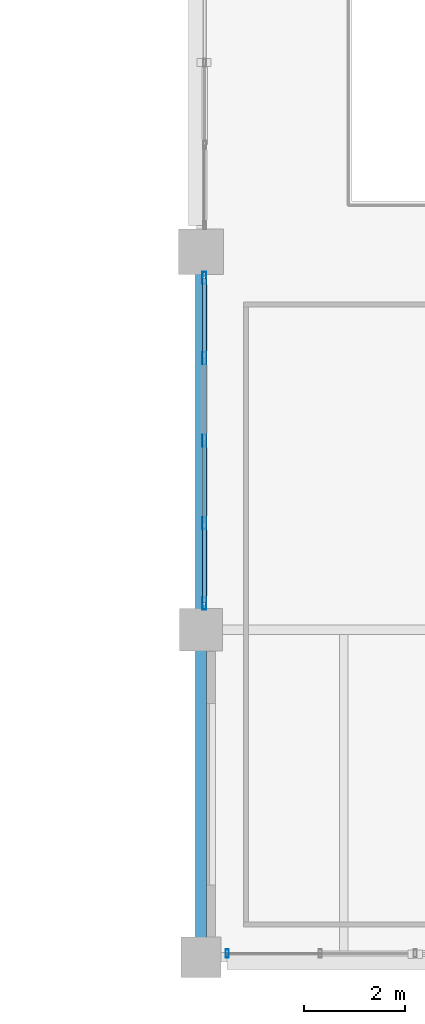
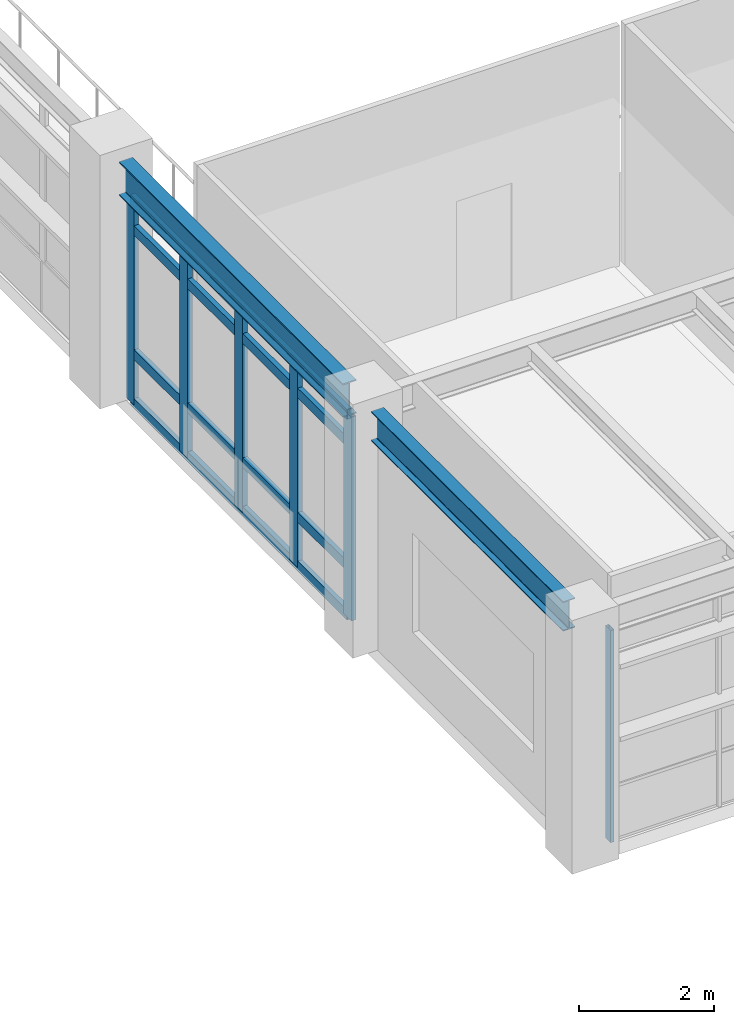
# One storey, part 93 of 168: 10 members, 2 beams, 2 elements without a shape of their own.
"""IFC4 building model written with IfcOpenShell, lengths in metres."""

from ifc_helpers import new_model, si_unit, direction, frame, origin, origin_2d, place, context, subcontext, project, spatial, hollow_rectangle, i_section, extrude, material, material_profile, profile_set, type_object, element, aggregate, save


model = new_model("IFC4")

# Units and contexts
model_context = context("Model", 3, precision=1e-05, world=origin(), true_north=direction((0.0, 1.0)))
body_context = subcontext(model_context, "Body", "Model", "MODEL_VIEW")
ifc_project = project(units=[si_unit("LENGTHUNIT", "METRE"), si_unit("AREAUNIT", "SQUARE_METRE"), si_unit("VOLUMEUNIT", "CUBIC_METRE"), si_unit("PLANEANGLEUNIT", "RADIAN"), si_unit("MASSUNIT", "GRAM", prefix="KILO"), si_unit("THERMODYNAMICTEMPERATUREUNIT", "KELVIN"), si_unit("POWERUNIT", "WATT")], contexts=[model_context])

# Site, building, storey
site_placement = place(None, origin())
site = spatial("IfcSite", under=ifc_project, at=site_placement, CompositionType="ELEMENT")
building_placement = place(site_placement, origin())
building = spatial("IfcBuilding", under=site, at=building_placement, Name="Tepalcoro Natatorium and Aquatics Centre", CompositionType="ELEMENT")
storey_placement = place(building_placement, frame((0.0, 0.0, 10.199951171875)))
storey = spatial("IfcBuildingStorey", under=building, at=storey_placement, Name="L02", CompositionType="ELEMENT", Elevation=10.199951171875)

# Curtain wall, member
ifc_material_1 = material(Name="Bronze-Anodised Extruded Aluminium Alloy EN AW-6063 T6", Category="aluminium")
curtain_wall_type_1 = type_object("IfcCurtainWallType", Name="CW_V2_DIVING", PredefinedType="USERDEFINED", material=ifc_material_1)
curtain_wall_1_placement = place(storey_placement, origin())
curtain_wall_1 = element("IfcCurtainWall", 1, at=curtain_wall_1_placement, inside=storey, type_object=curtain_wall_type_1, Name="V2 L02 S Unitised Curtain Wall Bay 1", ObjectType="FACETED SOLAR GLAZING", PredefinedType="USERDEFINED")
ifc_material_profile_1 = material_profile(ifc_material_1, hollow_rectangle(XDim=0.06005859375, YDim=0.159912109375, WallThickness=0.00390625, at=origin_2d()), Name="AL60X160X4")
ifc_profile_set_1 = profile_set([ifc_material_profile_1], Name="Bronze-Anodised Extruded Aluminium Alloy EN AW-6063 T6")
member_type_1 = type_object("IfcMemberType", Name="CW_MUL_60x160", PredefinedType="MULLION", material=ifc_profile_set_1)
member_1_placement = place(storey_placement, frame((142.52001953125, 6.576171875, 0.02001953125), z_axis=(0.0, 0.0, 1.0), x_axis=(1.0, 0.0, 0.0)))
member_1 = element("IfcMember", 2, at=member_1_placement, type_object=member_type_1, Name="CW_V2_DIVING Curtain Wall Mullion", PredefinedType="MULLION", context=body_context, shape_type="SweptSolid", body=[
    extrude(hollow_rectangle(XDim=0.06005859375, YDim=0.159912109375, WallThickness=0.00390625, at=origin_2d()), origin(), (0.0, 0.0, 1.0), 3.85009765625),
])
aggregate(curtain_wall_1, [member_1])

# Curtain wall, members
curtain_wall_type_2 = type_object("IfcCurtainWallType", Name="CW_LEAN_T1_NS", PredefinedType="USERDEFINED", material=ifc_material_1)
curtain_wall_2_placement = place(storey_placement, origin())
curtain_wall_2 = element("IfcCurtainWall", 3, at=curtain_wall_2_placement, inside=storey, type_object=curtain_wall_type_2, Name="V2 L02 W Unitised Curtain Wall Bay 2", ObjectType="FACETED SOLAR GLAZING", PredefinedType="USERDEFINED")
ifc_material_profile_2 = material_profile(ifc_material_1, hollow_rectangle(XDim=0.080078125, YDim=0.239990234375, WallThickness=0.0048828125, at=origin_2d()), Name="AL80X240X5")
ifc_profile_set_2 = profile_set([ifc_material_profile_2], Name="Bronze-Anodised Extruded Aluminium Alloy EN AW-6063 T6")
member_type_2 = type_object("IfcMemberType", Name="CW_MUL_80x240", PredefinedType="MULLION", material=ifc_profile_set_2)
member_2_placement = place(storey_placement, frame((142.06494140625, 13.52001953125, 0.02001953125), z_axis=(0.0, 0.0, 1.0), x_axis=(1.0, 0.0, 0.0)))
member_2 = element("IfcMember", 4, at=member_2_placement, type_object=member_type_2, Name="CW_LEAN_T1_NS Curtain Wall Mullion", PredefinedType="MULLION", context=body_context, shape_type="SweptSolid", body=[
    extrude(hollow_rectangle(XDim=0.080078125, YDim=0.239990234375, WallThickness=0.0048828125, at=origin_2d()), origin(), (0.0, 0.0, 1.0), 3.697998046875),
])
member_3_placement = place(storey_placement, frame((142.06494140625, 15.114990234375, 0.02001953125), z_axis=(0.0, 0.0, 1.0), x_axis=(1.0, 0.0, 0.0)))
member_3 = element("IfcMember", 5, at=member_3_placement, type_object=member_type_2, Name="CW_LEAN_T1_NS Curtain Wall Mullion", PredefinedType="MULLION", context=body_context, shape_type="SweptSolid", body=[
    extrude(hollow_rectangle(XDim=0.080078125, YDim=0.239990234375, WallThickness=0.0048828125, at=origin_2d()), origin(), (0.0, 0.0, 1.0), 3.697998046875),
])
member_4_placement = place(storey_placement, frame((142.06494140625, 16.75, 0.02001953125), z_axis=(0.0, 0.0, 1.0), x_axis=(1.0, 0.0, 0.0)))
member_4 = element("IfcMember", 6, at=member_4_placement, type_object=member_type_2, Name="CW_LEAN_T1_NS Curtain Wall Mullion", PredefinedType="MULLION", context=body_context, shape_type="SweptSolid", body=[
    extrude(hollow_rectangle(XDim=0.080078125, YDim=0.239990234375, WallThickness=0.0048828125, at=origin_2d()), origin(), (0.0, 0.0, 1.0), 3.697998046875),
])
member_5_placement = place(storey_placement, frame((142.06494140625, 18.385009765625, 0.02001953125), z_axis=(0.0, 0.0, 1.0), x_axis=(1.0, 0.0, 0.0)))
member_5 = element("IfcMember", 7, at=member_5_placement, type_object=member_type_2, Name="CW_LEAN_T1_NS Curtain Wall Mullion", PredefinedType="MULLION", context=body_context, shape_type="SweptSolid", body=[
    extrude(hollow_rectangle(XDim=0.080078125, YDim=0.239990234375, WallThickness=0.0048828125, at=origin_2d()), origin(), (0.0, 0.0, 1.0), 3.697998046875),
])
member_6_placement = place(storey_placement, frame((142.06494140625, 19.97998046875, 0.02001953125), z_axis=(0.0, 0.0, 1.0), x_axis=(1.0, 0.0, 0.0)))
member_6 = element("IfcMember", 8, at=member_6_placement, type_object=member_type_2, Name="CW_LEAN_T1_NS Curtain Wall Mullion", PredefinedType="MULLION", context=body_context, shape_type="SweptSolid", body=[
    extrude(hollow_rectangle(XDim=0.080078125, YDim=0.239990234375, WallThickness=0.0048828125, at=origin_2d()), origin(), (0.0, 0.0, 1.0), 3.697998046875),
])
ifc_material_profile_3 = material_profile(ifc_material_1, hollow_rectangle(XDim=0.080078125, YDim=0.179931640625, WallThickness=0.0048828125, at=origin_2d()), Name="AL80X180X5")
ifc_profile_set_3 = profile_set([ifc_material_profile_3], Name="Bronze-Anodised Extruded Aluminium Alloy EN AW-6063 T6")
member_type_3 = type_object("IfcMemberType", Name="CW_TRN_80x180", PredefinedType="USERDEFINED", material=ifc_profile_set_3)
member_7_placement = place(storey_placement, frame((142.06494140625, 13.530029296875, 0.050048828125), z_axis=(0.0, 1.0, 0.0), x_axis=(-1.0, 0.0, 0.0)))
member_7 = element("IfcMember", 9, at=member_7_placement, type_object=member_type_3, Name="CW_LEAN_T1_NS Curtain Wall Transom", ObjectType="TRANSOM", PredefinedType="USERDEFINED", context=body_context, shape_type="SweptSolid", body=[
    extrude(hollow_rectangle(XDim=0.080078125, YDim=0.179931640625, WallThickness=0.0048828125, at=origin_2d()), origin(), (0.0, 0.0, 1.0), 6.43994140625),
])
member_8_placement = place(storey_placement, frame((142.06494140625, 13.530029296875, 0.9345703125), z_axis=(0.0, 1.0, 0.0), x_axis=(-1.0, 0.0, 0.0)))
member_8 = element("IfcMember", 10, at=member_8_placement, type_object=member_type_3, Name="CW_LEAN_T1_NS Curtain Wall Transom", ObjectType="TRANSOM", PredefinedType="USERDEFINED", context=body_context, shape_type="SweptSolid", body=[
    extrude(hollow_rectangle(XDim=0.080078125, YDim=0.179931640625, WallThickness=0.0048828125, at=origin_2d()), origin(), (0.0, 0.0, 1.0), 6.43994140625),
])
member_9_placement = place(storey_placement, frame((142.06494140625, 13.530029296875, 3.18798828125), z_axis=(0.0, 1.0, 0.0), x_axis=(-1.0, 0.0, 0.0)))
member_9 = element("IfcMember", 11, at=member_9_placement, type_object=member_type_3, Name="CW_LEAN_T1_NS Curtain Wall Transom", ObjectType="TRANSOM", PredefinedType="USERDEFINED", context=body_context, shape_type="SweptSolid", body=[
    extrude(hollow_rectangle(XDim=0.080078125, YDim=0.179931640625, WallThickness=0.0048828125, at=origin_2d()), origin(), (0.0, 0.0, 1.0), 6.43994140625),
])
member_10_placement = place(storey_placement, frame((142.06494140625, 13.530029296875, 3.68798828125), z_axis=(0.0, 1.0, 0.0), x_axis=(-1.0, 0.0, 0.0)))
member_10 = element("IfcMember", 12, at=member_10_placement, type_object=member_type_3, Name="CW_LEAN_T1_NS Curtain Wall Transom", ObjectType="TRANSOM", PredefinedType="USERDEFINED", context=body_context, shape_type="SweptSolid", body=[
    extrude(hollow_rectangle(XDim=0.080078125, YDim=0.179931640625, WallThickness=0.0048828125, at=origin_2d()), origin(), (0.0, 0.0, 1.0), 6.43994140625),
])
aggregate(curtain_wall_2, [member_2, member_3, member_4, member_5, member_6, member_7, member_8, member_9, member_10])

# Beams
ifc_material_2 = material(Name="Steel ASTM A992 Grade 50 (Fy 345 MPa)", Category="steel")
ifc_material_profile_4 = material_profile(ifc_material_2, i_section(OverallWidth=0.2099609375, OverallDepth=0.535888671875, WebThickness=0.010986328125, FlangeThickness=0.01708984375, FilletRadius=0.013916015625, at=origin_2d()), Name="W21X68")
ifc_profile_set_4 = profile_set([ifc_material_profile_4], Name="Steel ASTM A992 Grade 50 (Fy 345 MPa)")
beam_type_1 = type_object("IfcBeamType", Name="SP_W21x68", PredefinedType="SPANDREL", material=ifc_profile_set_4)
beam_1_placement = place(storey_placement, frame((142.0, 6.885009765625, 4.09716796875), z_axis=(0.0, 1.0, 0.0), x_axis=(-1.0, 0.0, 0.0)))
element("IfcBeam", 13, at=beam_1_placement, inside=storey, type_object=beam_type_1, Name="V2 L02 Grid Girder Y", PredefinedType="SPANDREL", context=body_context, shape_type="SweptSolid", body=[
    extrude(i_section(OverallWidth=0.2099609375, OverallDepth=0.535888671875, WebThickness=0.010986328125, FlangeThickness=0.01708984375, FilletRadius=0.013916015625, at=origin_2d()), origin(), (0.0, 0.0, 1.0), 5.705078125),
])
ifc_material_profile_5 = material_profile(ifc_material_2, i_section(OverallWidth=0.22900390625, OverallDepth=0.612060546875, WebThickness=0.011962890625, FlangeThickness=0.02001953125, FilletRadius=0.013916015625, at=origin_2d()), Name="W24X84")
ifc_profile_set_5 = profile_set([ifc_material_profile_5], Name="Steel ASTM A992 Grade 50 (Fy 345 MPa)")
beam_type_2 = type_object("IfcBeamType", Name="SP_W24x84", PredefinedType="SPANDREL", material=ifc_profile_set_5)
beam_2_placement = place(storey_placement, frame((142.0, 13.409912109375, 4.05908203125), z_axis=(0.0, 1.0, 0.0), x_axis=(-1.0, 0.0, 0.0)))
element("IfcBeam", 14, at=beam_2_placement, inside=storey, type_object=beam_type_2, Name="V2 L02 Grid Girder Y", PredefinedType="SPANDREL", context=body_context, shape_type="SweptSolid", body=[
    extrude(i_section(OverallWidth=0.22900390625, OverallDepth=0.612060546875, WebThickness=0.011962890625, FlangeThickness=0.02001953125, FilletRadius=0.013916015625, at=origin_2d()), origin(), (0.0, 0.0, 1.0), 6.655029296875),
])

save(model, "model.ifc")
